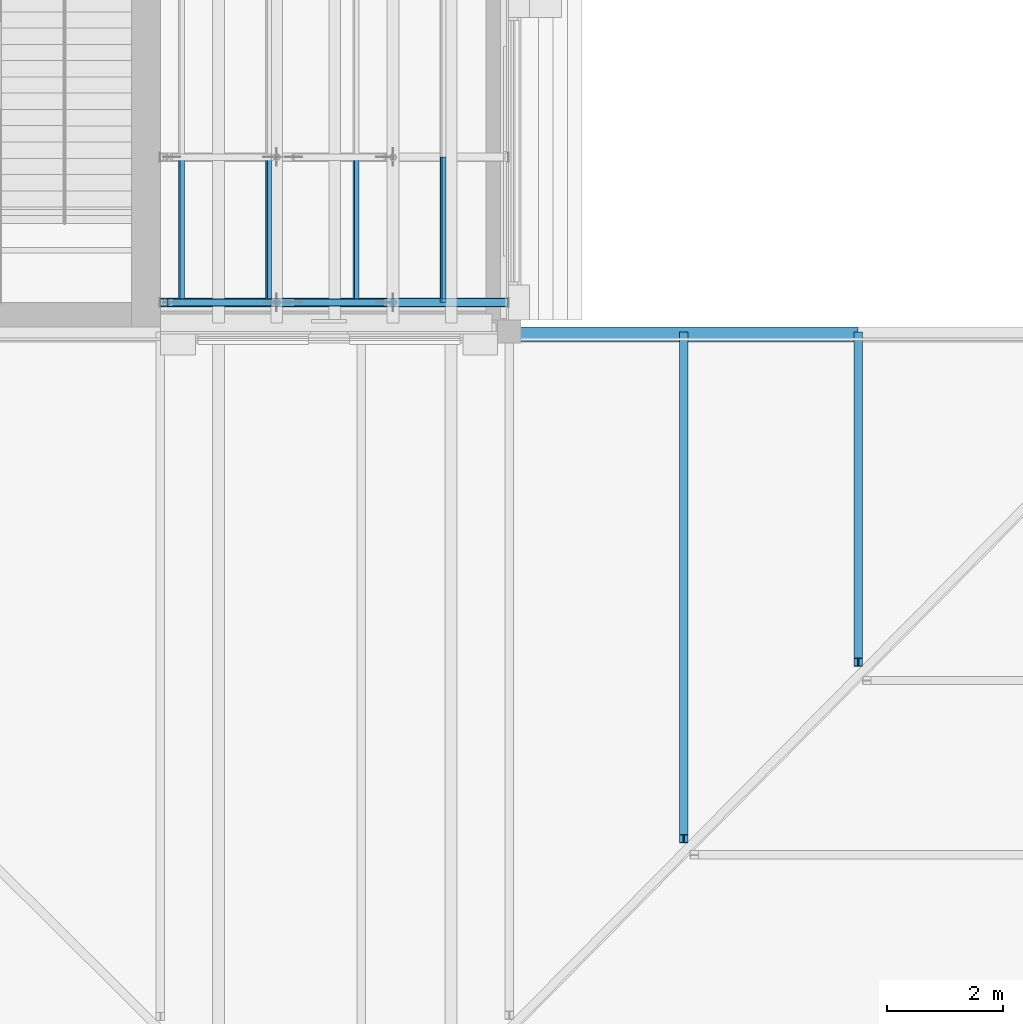
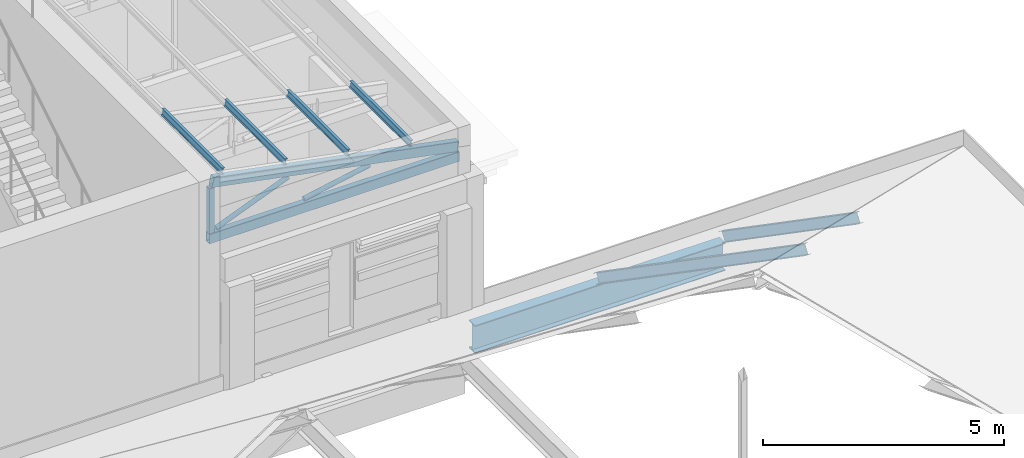
# One storey, part 24 of 118: 11 members, 1 beam.
"""IFC4 building model written with IfcOpenShell, lengths in metres."""

from ifc_helpers import new_model, si_unit, direction, frame, origin, origin_2d, place, context, subcontext, project, spatial, hollow_rectangle, hollow_circle, i_section, extrude, material, material_profile, profile_set, type_object, element, save


model = new_model("IFC4")

# Units and contexts
model_context = context("Model", 3, precision=1e-05, world=origin(), true_north=direction((0.0, 1.0)))
body_context = subcontext(model_context, "Body", "Model", "MODEL_VIEW")
ifc_project = project(units=[si_unit("LENGTHUNIT", "METRE"), si_unit("AREAUNIT", "SQUARE_METRE"), si_unit("VOLUMEUNIT", "CUBIC_METRE"), si_unit("PLANEANGLEUNIT", "RADIAN"), si_unit("MASSUNIT", "GRAM", prefix="KILO")], contexts=[model_context])

# Site, building, storey
site_placement = place(None, origin())
site = spatial("IfcSite", under=ifc_project, at=site_placement, CompositionType="ELEMENT")
building_placement = place(site_placement, origin())
building = spatial("IfcBuilding", under=site, at=building_placement, Name="Saffron Lane Theatres", CompositionType="ELEMENT")
storey_placement = place(building_placement, frame((0.0, 0.0, 16.5)))
storey = spatial("IfcBuildingStorey", under=building, at=storey_placement, Name="L03", CompositionType="ELEMENT", Elevation=16.5)

# Beam
ifc_material_1 = material(Name="Steel Grade 350", Category="steel")
ifc_material_profile_1 = material_profile(ifc_material_1, i_section(OverallWidth=0.25, OverallDepth=0.699951171875, WebThickness=0.010009765625, FlangeThickness=0.02001953125, at=origin_2d()))
ifc_profile_set_1 = profile_set([ifc_material_profile_1], Name="Steel Grade 350")
beam_type = type_object("IfcBeamType", Name="ST-EAVE BEAM 700WB130", PredefinedType="BEAM", material=ifc_profile_set_1)
beam_placement = place(storey_placement, frame((54.0, 29.949951171875, 0.35009765625), z_axis=(1.0, 0.0, 0.0), x_axis=(0.0, 1.0, 0.0)))
element("IfcBeam", 1, at=beam_placement, inside=storey, type_object=beam_type, Name="SE7", PredefinedType="BEAM", context=body_context, shape_type="SweptSolid", body=[
    extrude(i_section(OverallWidth=0.25, OverallDepth=0.699951171875, WebThickness=0.010009765625, FlangeThickness=0.02001953125, at=origin_2d()), origin(), (0.0, 0.0, 1.0), 6.0),
])

# Members
ifc_material_2 = material(Name="Steel Grade 350", Category="steel")
ifc_material_profile_2 = material_profile(ifc_material_2, i_section(OverallWidth=0.14599609375, OverallDepth=0.251953125, WebThickness=0.006103515625, FlangeThickness=0.008544921875, FilletRadius=0.011962890625, at=origin_2d()))
ifc_profile_set_2 = profile_set([ifc_material_profile_2], Name="Steel Grade 350")
member_type_1 = type_object("IfcMemberType", Name="ST-JACK RAFTER 250UB31.4", PredefinedType="RAFTER", material=ifc_profile_set_2)
member_1_placement = place(storey_placement, frame((57.0, 29.923095703125, 0.80419921875), z_axis=(0.0, -0.8229470983, 0.568118010099), x_axis=(1.0, 0.0, 0.0)))
element("IfcMember", 2, at=member_1_placement, inside=storey, type_object=member_type_1, Name="SK14", PredefinedType="RAFTER", context=body_context, shape_type="SweptSolid", body=[
    extrude(i_section(OverallWidth=0.14599609375, OverallDepth=0.251953125, WebThickness=0.006103515625, FlangeThickness=0.008544921875, FilletRadius=0.011962890625, at=origin_2d()), origin(), (0.0, 0.0, 1.0), 10.503173828125),
])
member_2_placement = place(storey_placement, frame((60.0, 29.923095703125, 0.80419921875), z_axis=(0.0, -0.822945952932, 0.568119669218), x_axis=(1.0, 0.0, 0.0)))
element("IfcMember", 3, at=member_2_placement, inside=storey, type_object=member_type_1, Name="SK16", PredefinedType="RAFTER", context=body_context, shape_type="SweptSolid", body=[
    extrude(i_section(OverallWidth=0.14599609375, OverallDepth=0.251953125, WebThickness=0.006103515625, FlangeThickness=0.008544921875, FilletRadius=0.011962890625, at=origin_2d()), origin(), (0.0, 0.0, 1.0), 6.814697265625),
])
ifc_material_3 = material(Name="Steel Grade 350", Category="steel")
ifc_material_profile_3 = material_profile(ifc_material_3, hollow_rectangle(XDim=0.125, YDim=0.125, WallThickness=0.006103515625, InnerFilletRadius=0.0029296875, OuterFilletRadius=0.009033203125, at=origin_2d()))
ifc_profile_set_3 = profile_set([ifc_material_profile_3], Name="Steel Grade 350")
member_type_2 = type_object("IfcMemberType", Name="ST-STUDIO POST 125x125x6 SHS", PredefinedType="POST", material=ifc_profile_set_3)
member_3_placement = place(storey_placement, frame((48.0625, 30.5, 4.75), z_axis=(0.0, 0.0, 1.0), x_axis=(1.0, 0.0, 0.0)))
element("IfcMember", 4, at=member_3_placement, inside=storey, type_object=member_type_2, Name="SB4-P3", PredefinedType="POST", context=body_context, shape_type="SweptSolid", body=[
    extrude(hollow_rectangle(XDim=0.125, YDim=0.125, WallThickness=0.006103515625, InnerFilletRadius=0.0029296875, OuterFilletRadius=0.009033203125, at=origin_2d()), origin(), (0.0, 0.0, 1.0), 1.140869140625),
])
ifc_material_4 = material(Name="Steel Grade 350", Category="steel")
ifc_material_profile_4 = material_profile(ifc_material_4, i_section(OverallWidth=0.074951171875, OverallDepth=0.155029296875, WebThickness=0.006103515625, FlangeThickness=0.009521484375, FilletRadius=0.008056640625, at=origin_2d()))
ifc_profile_set_4 = profile_set([ifc_material_profile_4], Name="Steel Grade 350")
member_type_3 = type_object("IfcMemberType", Name="ST-STUDIO PURLIN 150UB18.0", PredefinedType="PURLIN", material=ifc_profile_set_4)
for number, where, z_axis, x_axis, name in (
    (5, (52.862548828125, 30.5, 5.304443359375), (0.0, 1.0, 0.0), (-0.981660567439, 0.0, 0.190637169344), "SB4-U43"),
    (6, (51.362548828125, 30.5, 5.595947265625), (0.0, 1.0, 0.0), (-0.981660567439, 0.0, 0.190637169344), "SB4-U48"),
    (7, (49.862548828125, 30.5, 5.88720703125), (0.0, 1.0, 0.0), (-0.981660567439, 0.0, 0.190637169344), "SB4-U53"),
    (8, (48.362548828125, 30.5, 6.178466796875), (0.0, 1.0, 0.0), (-0.981660567439, 0.0, 0.190637169344), "SB4-U58"),
):
    element("IfcMember", number, at=place(storey_placement, frame(where, z_axis=z_axis, x_axis=x_axis)), inside=storey, type_object=member_type_3, Name=name, PredefinedType="PURLIN", context=body_context, shape_type="SweptSolid", body=[
        extrude(i_section(OverallWidth=0.074951171875, OverallDepth=0.155029296875, WebThickness=0.006103515625, FlangeThickness=0.009521484375, FilletRadius=0.008056640625, at=origin_2d()), origin(), (0.0, 0.0, 1.0), 2.5),
    ])
ifc_material_5 = material(Name="Steel Grade 350", Category="steel")
ifc_material_profile_5 = material_profile(ifc_material_5, hollow_rectangle(XDim=0.14990234375, YDim=0.25, WallThickness=0.009033203125, InnerFilletRadius=0.00439453125, OuterFilletRadius=0.013427734375, at=origin_2d()))
ifc_profile_set_5 = profile_set([ifc_material_profile_5], Name="Steel Grade 350")
member_type_4 = type_object("IfcMemberType", Name="ST-STUDIO TRUSS CHORD 250x150x9 RHS", PredefinedType="CHORD", material=ifc_profile_set_5)
member_4_placement = place(storey_placement, frame((53.97998046875, 30.5, 4.625), z_axis=(-1.0, 0.0, 0.0), x_axis=(0.0, -1.0, 0.0)))
element("IfcMember", 9, at=member_4_placement, inside=storey, type_object=member_type_4, Name="SB4-T1", PredefinedType="CHORD", context=body_context, shape_type="SweptSolid", body=[
    extrude(hollow_rectangle(XDim=0.14990234375, YDim=0.25, WallThickness=0.009033203125, InnerFilletRadius=0.00439453125, OuterFilletRadius=0.013427734375, at=origin_2d()), origin(), (0.0, 0.0, 1.0), 5.97998046875),
])
member_5_placement = place(storey_placement, frame((53.9462890625, 30.5, 4.8876953125), z_axis=(-0.981654109324, 0.0, 0.190670421534), x_axis=(0.0, -1.0, 0.0)))
element("IfcMember", 10, at=member_5_placement, inside=storey, type_object=member_type_4, Name="SB4-C2", PredefinedType="CHORD", context=body_context, shape_type="SweptSolid", body=[
    extrude(hollow_rectangle(XDim=0.14990234375, YDim=0.25, WallThickness=0.009033203125, InnerFilletRadius=0.00439453125, OuterFilletRadius=0.013427734375, at=origin_2d()), origin(), (0.0, 0.0, 1.0), 5.969482421875),
])
ifc_material_6 = material(Name="Steel Grade 350", Category="steel")
ifc_material_profile_6 = material_profile(ifc_material_6, hollow_circle(Radius=0.05712890625, WallThickness=0.006103515625, at=origin_2d()))
ifc_profile_set_6 = profile_set([ifc_material_profile_6], Name="Steel Grade 350")
member_type_5 = type_object("IfcMemberType", Name="ST-STUDIO TRUSS WEB 114.3x6.0 CHS", PredefinedType="BRACE", material=ifc_profile_set_6)
member_6_placement = place(storey_placement, frame((48.19482421875, 30.5, 4.802978515625), z_axis=(0.928149794968, 0.0, 0.372206875409), x_axis=(0.0, 1.0, 0.0)))
element("IfcMember", 11, at=member_6_placement, inside=storey, type_object=member_type_5, Name="SB4-W6", PredefinedType="BRACE", context=body_context, shape_type="SweptSolid", body=[
    extrude(hollow_circle(Radius=0.05712890625, WallThickness=0.006103515625, at=origin_2d()), origin(), (0.0, 0.0, 1.0), 1.856201171875),
])
member_7_placement = place(storey_placement, frame((50.288818359375, 30.5, 4.80615234375), z_axis=(0.981678802594, 0.0, 0.190543245845), x_axis=(0.0, 1.0, 0.0)))
element("IfcMember", 12, at=member_7_placement, inside=storey, type_object=member_type_5, Name="SB4-W7", PredefinedType="BRACE", context=body_context, shape_type="SweptSolid", body=[
    extrude(hollow_circle(Radius=0.05712890625, WallThickness=0.006103515625, at=origin_2d()), origin(), (0.0, 0.0, 1.0), 1.6015625),
])

save(model, "model.ifc")
